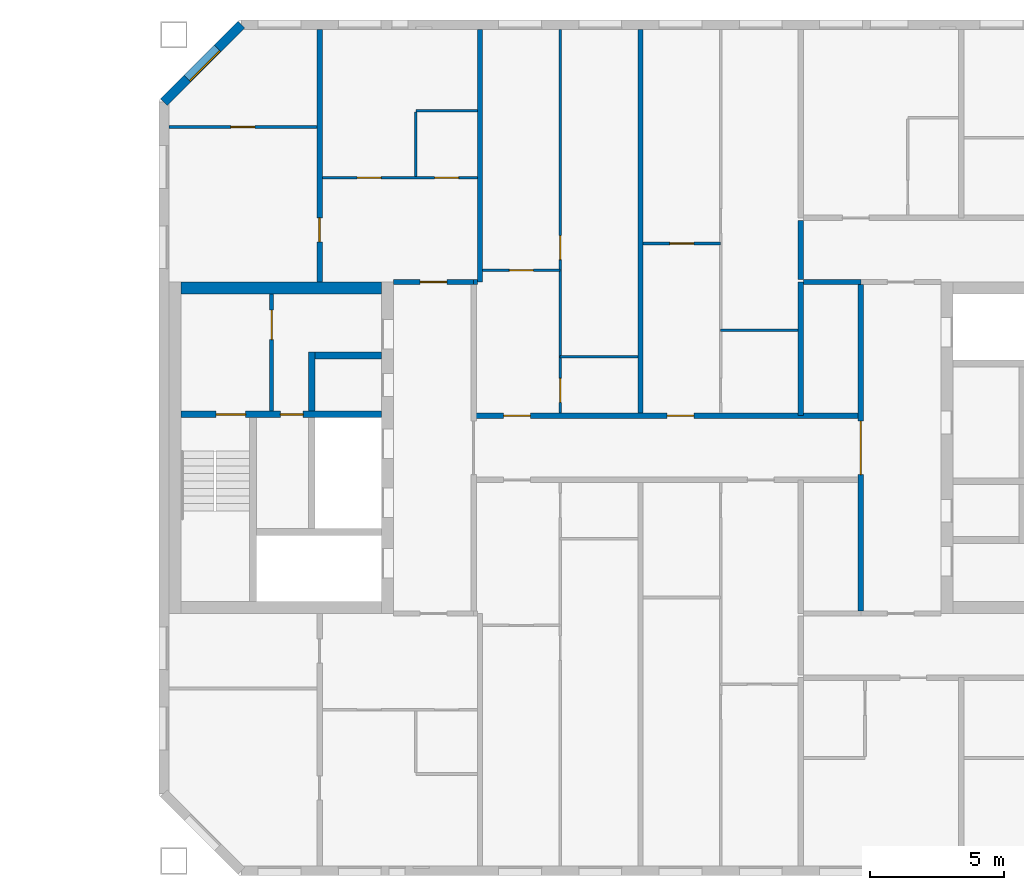
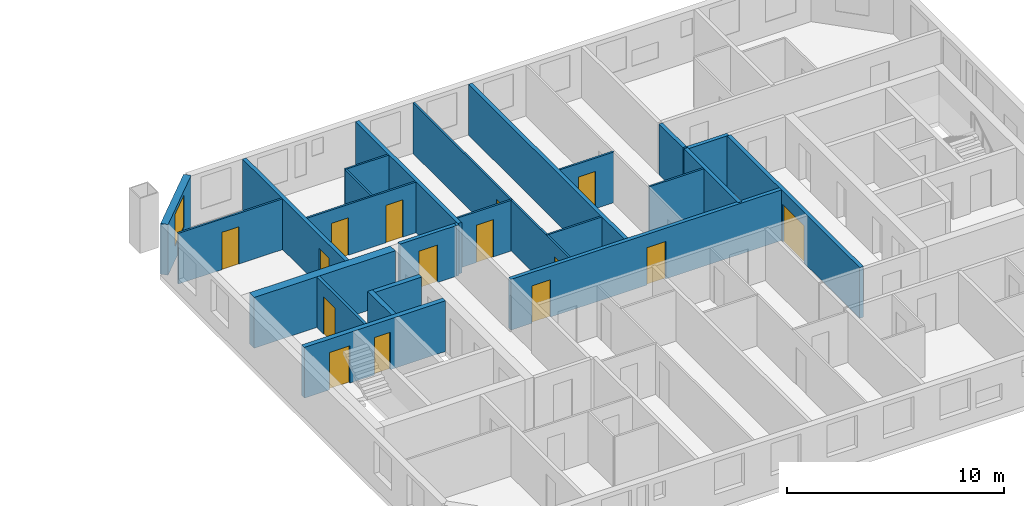
# One storey, part 11 of 16: 25 walls, 15 doors, 1 window, 16 openings.
"""IFC4 building model written with IfcOpenShell, lengths in metres."""

from ifc_helpers import new_model, si_unit, direction, frame, frame_2d, origin, place, context, subcontext, project, spatial, rectangle, extrude, material, layer, layer_set, type_object, element, fill, save


model = new_model("IFC4")

# Units and contexts
model_context = context("Model", 3, precision=1e-05, world=origin(), true_north=direction((0.0, 1.0)))
body_context = subcontext(model_context, "Body", "Model", "MODEL_VIEW")
ifc_project = project(units=[si_unit("LENGTHUNIT", "METRE"), si_unit("AREAUNIT", "SQUARE_METRE"), si_unit("VOLUMEUNIT", "CUBIC_METRE"), si_unit("PLANEANGLEUNIT", "RADIAN"), si_unit("MASSUNIT", "GRAM", prefix="KILO")], contexts=[model_context])

# Site, building, storey
site_placement = place(None, origin())
site = spatial("IfcSite", under=ifc_project, at=site_placement, CompositionType="ELEMENT")
building_placement = place(site_placement, origin())
building = spatial("IfcBuilding", under=site, at=building_placement, Name="Tuart Gate Housing", CompositionType="ELEMENT")
storey_placement = place(building_placement, frame((0.0, 0.0, 182.0)))
storey = spatial("IfcBuildingStorey", under=building, at=storey_placement, Name="L51", CompositionType="ELEMENT", Elevation=182.0)

# Wall, opening, window
ifc_material_1 = material(Name="Brick", Category="masonry")
ifc_layer_1 = layer(ifc_material_1, 0.360107421875)
ifc_layer_set_1 = layer_set([ifc_layer_1], Name="Brick pier and spandrel wall 360")
wall_type_1 = type_object("IfcWallType", Name="Brick pier and spandrel wall 360", PredefinedType="STANDARD", material=ifc_layer_set_1)
wall_1_placement = place(storey_placement, frame((134.07470703125, 85.820068359375, 0.0), z_axis=(0.0, 0.0, 1.0), x_axis=(-0.707106781187, -0.707106781187, 0.0)))
wall_1 = element("IfcWall", 1, at=wall_1_placement, inside=storey, type_object=wall_type_1, Name="External wall B-NW L51", PredefinedType="STANDARD", context=body_context, shape_type="SweptSolid", body=[
    extrude(rectangle(XDim=4.09375, YDim=0.360107421875, at=frame_2d((2.046875, 0.0))), origin(), (0.0, 0.0, 1.0), 2.85009765625),
])
opening_1_placement = place(wall_1_placement, frame((1.2470703125, 0.0, 0.800048828125)))
opening_1 = element("IfcOpeningElement", 2, at=opening_1_placement, cuts=wall_1, Name="Opening W1", PredefinedType="OPENING", context=body_context, shape_type="SweptSolid", body=[
    extrude(rectangle(XDim=1.60009765625, YDim=1.800048828125, at=frame_2d((0.800048828125, 0.89990234375))), frame((0.0, 0.18994140625, 0.0), z_axis=(0.0, -1.0, 0.0), x_axis=(1.0, 0.0, 0.0)), (0.0, 0.0, 1.0), 0.380126953125),
])
ifc_material_2 = material(Name="Aluminium frame with clear glass", Category="aluminium")
window_type = type_object("IfcWindowType", Name="Punched window 1600 x 1800", PartitioningType="SINGLE_PANEL", PredefinedType="WINDOW", material=ifc_material_2)
window_placement = place(opening_1_placement, origin())
window = element("IfcWindow", 3, at=window_placement, inside=storey, type_object=window_type, Name="Window W1", OverallHeight=1.800048828125, OverallWidth=1.60009765625, PartitioningType="SINGLE_PANEL", PredefinedType="WINDOW", context=body_context, shape_type="SweptSolid", body=[
    extrude(rectangle(XDim=1.60009765625, YDim=1.800048828125, at=frame_2d((0.800048828125, 0.89990234375))), frame((0.0, 0.150146484375, 0.0), z_axis=(0.0, -1.0, 0.0), x_axis=(1.0, 0.0, 0.0)), (0.0, 0.0, 1.0), 0.06005859375),
])
fill(opening_1, window)

# Wall, opening, door
ifc_material_3 = material(Name="Plasterboard partition")
ifc_layer_2 = layer(ifc_material_3, 0.14990234375)
ifc_layer_set_2 = layer_set([ifc_layer_2], Name="Core partition 150")
wall_type_2 = type_object("IfcWallType", Name="Core partition 150", PredefinedType="PARTITIONING", material=ifc_layer_set_2)
wall_2_placement = place(storey_placement, frame((135.2099609375, 71.375, 0.0), z_axis=(0.0, 0.0, 1.0), x_axis=(0.0, 1.0, 0.0)))
wall_2 = element("IfcWall", 4, at=wall_2_placement, inside=storey, type_object=wall_type_2, Name="Core partition BG.6", PredefinedType="PARTITIONING", context=body_context, shape_type="SweptSolid", body=[
    extrude(rectangle(XDim=4.375, YDim=0.14990234375, at=frame_2d((2.1875, 0.0))), origin(), (0.0, 0.0, 1.0), 2.85009765625),
])
opening_2_placement = place(wall_2_placement, frame((2.675048828125, 0.0, 0.0)))
opening_2 = element("IfcOpeningElement", 5, at=opening_2_placement, cuts=wall_2, Name="Opening D1807", PredefinedType="OPENING", context=body_context, shape_type="SweptSolid", body=[
    extrude(rectangle(XDim=1.10009765625, YDim=2.10009765625, at=frame_2d((0.550048828125, 1.050048828125))), frame((0.0, 0.0849609375, 0.0), z_axis=(0.0, -1.0, 0.0), x_axis=(1.0, 0.0, 0.0)), (0.0, 0.0, 1.0), 0.169921875),
])
ifc_material_4 = material(Name="Steel fire door", Category="steel")
door_type_1 = type_object("IfcDoorType", Name="Lobby door 1100 x 2100 RH", OperationType="SINGLE_SWING_RIGHT", PredefinedType="DOOR", material=ifc_material_4)
door_1_placement = place(opening_2_placement, origin())
door_1 = element("IfcDoor", 6, at=door_1_placement, inside=storey, type_object=door_type_1, Name="Smoke lobby door BG.KD", OperationType="SINGLE_SWING_RIGHT", OverallHeight=2.10009765625, OverallWidth=1.10009765625, PredefinedType="DOOR", context=body_context, shape_type="SweptSolid", body=[
    extrude(rectangle(XDim=1.10009765625, YDim=2.10009765625, at=frame_2d((0.550048828125, 1.050048828125))), frame((0.0, 0.02490234375, 0.0), z_axis=(0.0, -1.0, 0.0), x_axis=(1.0, 0.0, 0.0)), (0.0, 0.0, 1.0), 0.050048828125),
])
fill(opening_2, door_1)

# Wall, openings, doors
ifc_material_5 = material(Name="Concrete C40", Category="concrete")
ifc_layer_3 = layer(ifc_material_5, 0.25)
ifc_layer_set_3 = layer_set([ifc_layer_3], Name="Core wall 250 C40")
wall_type_3 = type_object("IfcWallType", Name="Core wall 250 C40", PredefinedType="SHEAR", material=ifc_layer_set_3)
wall_3_placement = place(storey_placement, frame((139.31005859375, 71.25, 0.0), z_axis=(0.0, 0.0, 1.0), x_axis=(-1.0, 0.0, 0.0)))
wall_3 = element("IfcWall", 7, at=wall_3_placement, inside=storey, type_object=wall_type_3, Name="Core wall BG.2", PredefinedType="SHEAR", context=body_context, shape_type="SweptSolid", body=[
    extrude(rectangle(XDim=7.5, YDim=0.25, at=frame_2d((3.75, 0.0))), origin(), (0.0, 0.0, 1.0), 2.85009765625),
])
opening_3_placement = place(wall_3_placement, frame((5.074951171875, 0.0, 0.0)))
opening_3 = element("IfcOpeningElement", 8, at=opening_3_placement, cuts=wall_3, Name="Opening D1809", PredefinedType="OPENING", context=body_context, shape_type="SweptSolid", body=[
    extrude(rectangle(XDim=1.10009765625, YDim=2.10009765625, at=frame_2d((0.550048828125, 1.050048828125))), frame((0.0, 0.135009765625, 0.0), z_axis=(0.0, -1.0, 0.0), x_axis=(1.0, 0.0, 0.0)), (0.0, 0.0, 1.0), 0.27001953125),
])
opening_4_placement = place(wall_3_placement, frame((2.925048828125, 0.0, 0.0)))
opening_4 = element("IfcOpeningElement", 9, at=opening_4_placement, cuts=wall_3, Name="Opening D1808", PredefinedType="OPENING", context=body_context, shape_type="SweptSolid", body=[
    extrude(rectangle(XDim=0.85009765625, YDim=2.10009765625, at=frame_2d((0.425048828125, 1.050048828125))), frame((0.0, 0.135009765625, 0.0), z_axis=(0.0, -1.0, 0.0), x_axis=(1.0, 0.0, 0.0)), (0.0, 0.0, 1.0), 0.27001953125),
])
ifc_material_6 = material(Name="Steel fire door", Category="steel")
door_type_2 = type_object("IfcDoorType", Name="Riser door 850 x 2100", OperationType="SINGLE_SWING_LEFT", PredefinedType="DOOR", material=ifc_material_6)
door_2_placement = place(opening_4_placement, origin())
door_2 = element("IfcDoor", 10, at=door_2_placement, inside=storey, type_object=door_type_2, Name="Service room door BG.W1", OperationType="SINGLE_SWING_LEFT", OverallHeight=2.10009765625, OverallWidth=0.85009765625, PredefinedType="DOOR", context=body_context, shape_type="SweptSolid", body=[
    extrude(rectangle(XDim=0.85009765625, YDim=2.10009765625, at=frame_2d((0.425048828125, 1.050048828125))), frame((0.0, 0.02490234375, 0.0), z_axis=(0.0, -1.0, 0.0), x_axis=(1.0, 0.0, 0.0)), (0.0, 0.0, 1.0), 0.050048828125),
])
fill(opening_4, door_2)
ifc_material_7 = material(Name="Steel fire door", Category="steel")
door_type_3 = type_object("IfcDoorType", Name="Stair door 1100 x 2100", OperationType="SINGLE_SWING_LEFT", PredefinedType="DOOR", material=ifc_material_7)
door_3_placement = place(opening_3_placement, origin())
door_3 = element("IfcDoor", 11, at=door_3_placement, inside=storey, type_object=door_type_3, Name="Stair door BG.SD", OperationType="SINGLE_SWING_LEFT", OverallHeight=2.10009765625, OverallWidth=1.10009765625, PredefinedType="DOOR", context=body_context, shape_type="SweptSolid", body=[
    extrude(rectangle(XDim=1.10009765625, YDim=2.10009765625, at=frame_2d((0.550048828125, 1.050048828125))), frame((0.0, 0.02490234375, 0.0), z_axis=(0.0, -1.0, 0.0), x_axis=(1.0, 0.0, 0.0)), (0.0, 0.0, 1.0), 0.050048828125),
])
fill(opening_3, door_3)

# Walls
wall_4_placement = place(storey_placement, frame((139.31005859375, 73.449951171875, 0.0), z_axis=(0.0, 0.0, 1.0), x_axis=(-1.0, 0.0, 0.0)))
element("IfcWall", 12, at=wall_4_placement, inside=storey, type_object=wall_type_3, Name="Core wall BG.3", PredefinedType="SHEAR", context=body_context, shape_type="SweptSolid", body=[
    extrude(rectangle(XDim=2.47509765625, YDim=0.25, at=frame_2d((1.237548828125, 0.0))), origin(), (0.0, 0.0, 1.0), 2.85009765625),
])
wall_5_placement = place(storey_placement, frame((136.7099609375, 71.375, 0.0), z_axis=(0.0, 0.0, 1.0), x_axis=(0.0, 1.0, 0.0)))
element("IfcWall", 13, at=wall_5_placement, inside=storey, type_object=wall_type_3, Name="Core wall BG.5", PredefinedType="SHEAR", context=body_context, shape_type="SweptSolid", body=[
    extrude(rectangle(XDim=2.199951171875, YDim=0.25, at=frame_2d((1.10009765625, 0.0))), origin(), (0.0, 0.0, 1.0), 2.85009765625),
])
ifc_material_8 = material(Name="Concrete C40", Category="concrete")
ifc_layer_4 = layer(ifc_material_8, 0.449951171875)
ifc_layer_set_4 = layer_set([ifc_layer_4], Name="Core wall 450 C40")
wall_type_4 = type_object("IfcWallType", Name="Core wall 450 C40", PredefinedType="SHEAR", material=ifc_layer_set_4)
wall_6_placement = place(storey_placement, frame((139.31005859375, 75.97509765625, 0.0), z_axis=(0.0, 0.0, 1.0), x_axis=(-1.0, 0.0, 0.0)))
element("IfcWall", 14, at=wall_6_placement, inside=storey, type_object=wall_type_4, Name="Core wall BG north", PredefinedType="SHEAR", context=body_context, shape_type="SweptSolid", body=[
    extrude(rectangle(XDim=7.5, YDim=0.449951171875, at=frame_2d((3.75, 0.0))), origin(), (0.0, 0.0, 1.0), 2.85009765625),
])

# Wall, openings, doors
ifc_material_9 = material(Name="Concrete masonry 15 MPa", Category="masonry")
ifc_layer_5 = layer(ifc_material_9, 0.199951171875)
ifc_layer_set_5 = layer_set([ifc_layer_5], Name="Corridor wall masonry 200")
wall_type_5 = type_object("IfcWallType", Name="Corridor wall masonry 200", PredefinedType="PARTITIONING", material=ifc_layer_set_5)
wall_7_placement = place(storey_placement, frame((142.760009765625, 71.199951171875, 0.0), z_axis=(0.0, 0.0, 1.0), x_axis=(1.0, 0.0, 0.0)))
wall_7 = element("IfcWall", 15, at=wall_7_placement, inside=storey, type_object=wall_type_5, Name="Corridor wall masonry 200", PredefinedType="PARTITIONING", context=body_context, shape_type="SweptSolid", body=[
    extrude(rectangle(XDim=14.47998046875, YDim=0.199951171875, at=frame_2d((7.239990234375, 0.0))), origin(), (0.0, 0.0, 1.0), 2.85009765625),
])
opening_5_placement = place(wall_7_placement, frame((1.1201171875, 0.0, 0.0)))
opening_5 = element("IfcOpeningElement", 16, at=opening_5_placement, cuts=wall_7, Name="Opening D1810", PredefinedType="OPENING", context=body_context, shape_type="SweptSolid", body=[
    extrude(rectangle(XDim=1.0, YDim=2.10009765625, at=frame_2d((0.5, 1.050048828125))), frame((0.0, 0.10986328125, 0.0), z_axis=(0.0, -1.0, 0.0), x_axis=(1.0, 0.0, 0.0)), (0.0, 0.0, 1.0), 0.219970703125),
])
opening_6_placement = place(wall_7_placement, frame((7.239990234375, 0.0, 0.0)))
opening_6 = element("IfcOpeningElement", 17, at=opening_6_placement, cuts=wall_7, Name="Opening D1811", PredefinedType="OPENING", context=body_context, shape_type="SweptSolid", body=[
    extrude(rectangle(XDim=1.0, YDim=2.10009765625, at=frame_2d((0.5, 1.050048828125))), frame((0.0, 0.10986328125, 0.0), z_axis=(0.0, -1.0, 0.0), x_axis=(1.0, 0.0, 0.0)), (0.0, 0.0, 1.0), 0.219970703125),
])
ifc_material_10 = material(Name="Timber door leaf in steel frame", Category="steel")
door_type_4 = type_object("IfcDoorType", Name="Flat entrance door 1000", OperationType="SINGLE_SWING_LEFT", PredefinedType="DOOR", material=ifc_material_10)
door_4_placement = place(opening_5_placement, origin())
door_4 = element("IfcDoor", 18, at=door_4_placement, inside=storey, type_object=door_type_4, Name="Flat entrance door", OperationType="SINGLE_SWING_LEFT", OverallHeight=2.10009765625, OverallWidth=1.0, PredefinedType="DOOR", context=body_context, shape_type="SweptSolid", body=[
    extrude(rectangle(XDim=1.0, YDim=2.10009765625, at=frame_2d((0.5, 1.050048828125))), frame((0.0, 0.02490234375, 0.0), z_axis=(0.0, -1.0, 0.0), x_axis=(1.0, 0.0, 0.0)), (0.0, 0.0, 1.0), 0.050048828125),
])
fill(opening_5, door_4)
door_5_placement = place(opening_6_placement, origin())
door_5 = element("IfcDoor", 19, at=door_5_placement, inside=storey, type_object=door_type_4, Name="Flat entrance door", OperationType="SINGLE_SWING_LEFT", OverallHeight=2.10009765625, OverallWidth=1.0, PredefinedType="DOOR", context=body_context, shape_type="SweptSolid", body=[
    extrude(rectangle(XDim=1.0, YDim=2.10009765625, at=frame_2d((0.5, 1.050048828125))), frame((0.0, 0.02490234375, 0.0), z_axis=(0.0, -1.0, 0.0), x_axis=(1.0, 0.0, 0.0)), (0.0, 0.0, 1.0), 0.050048828125),
])
fill(opening_6, door_5)

# Walls
wall_8_placement = place(storey_placement, frame((155.10009765625, 76.199951171875, 0.0), z_axis=(0.0, 0.0, 1.0), x_axis=(1.0, 0.0, 0.0)))
element("IfcWall", 20, at=wall_8_placement, inside=storey, type_object=wall_type_5, Name="Corridor wall masonry 200", PredefinedType="PARTITIONING", context=body_context, shape_type="SweptSolid", body=[
    extrude(rectangle(XDim=2.139892578125, YDim=0.199951171875, at=frame_2d((1.06982421875, 0.0))), origin(), (0.0, 0.0, 1.0), 2.85009765625),
])
wall_9_placement = place(storey_placement, frame((155.0, 76.300048828125, 0.0), z_axis=(0.0, 0.0, 1.0), x_axis=(0.0, 1.0, 0.0)))
element("IfcWall", 21, at=wall_9_placement, inside=storey, type_object=wall_type_5, Name="Corridor wall masonry 200", PredefinedType="PARTITIONING", context=body_context, shape_type="SweptSolid", body=[
    extrude(rectangle(XDim=2.199951171875, YDim=0.199951171875, at=frame_2d((1.10009765625, 0.0))), origin(), (0.0, 0.0, 1.0), 2.85009765625),
])

# Wall, opening, door
ifc_material_11 = material(Name="Concrete masonry 15 MPa", Category="masonry")
ifc_layer_6 = layer(ifc_material_11, 0.199951171875)
ifc_layer_set_6 = layer_set([ifc_layer_6], Name="Enclosure wall masonry 200")
wall_type_6 = type_object("IfcWallType", Name="Enclosure wall masonry 200", PredefinedType="PARTITIONING", material=ifc_layer_set_6)
wall_10_placement = place(storey_placement, frame((139.760009765625, 76.199951171875, 0.0), z_axis=(0.0, 0.0, 1.0), x_axis=(1.0, 0.0, 0.0)))
wall_10 = element("IfcWall", 22, at=wall_10_placement, inside=storey, type_object=wall_type_6, Name="Enclosure wall masonry 200", PredefinedType="PARTITIONING", context=body_context, shape_type="SweptSolid", body=[
    extrude(rectangle(XDim=3.0, YDim=0.199951171875, at=frame_2d((1.5, 0.0))), origin(), (0.0, 0.0, 1.0), 2.85009765625),
])
opening_7_placement = place(wall_10_placement, frame((1.0, 0.0, 0.0)))
opening_7 = element("IfcOpeningElement", 23, at=opening_7_placement, cuts=wall_10, Name="Opening D1805", PredefinedType="OPENING", context=body_context, shape_type="SweptSolid", body=[
    extrude(rectangle(XDim=1.0, YDim=2.10009765625, at=frame_2d((0.5, 1.050048828125))), frame((0.0, 0.10986328125, 0.0), z_axis=(0.0, -1.0, 0.0), x_axis=(1.0, 0.0, 0.0)), (0.0, 0.0, 1.0), 0.219970703125),
])
ifc_material_12 = material(Name="Timber door leaf in steel frame", Category="steel")
door_type_5 = type_object("IfcDoorType", Name="Flat entrance door 1000 RH", OperationType="SINGLE_SWING_RIGHT", PredefinedType="DOOR", material=ifc_material_12)
door_6_placement = place(opening_7_placement, origin())
door_6 = element("IfcDoor", 24, at=door_6_placement, inside=storey, type_object=door_type_5, Name="Flat entrance door", OperationType="SINGLE_SWING_RIGHT", OverallHeight=2.10009765625, OverallWidth=1.0, PredefinedType="DOOR", context=body_context, shape_type="SweptSolid", body=[
    extrude(rectangle(XDim=1.0, YDim=2.10009765625, at=frame_2d((0.5, 1.050048828125))), frame((0.0, 0.02490234375, 0.0), z_axis=(0.0, -1.0, 0.0), x_axis=(1.0, 0.0, 0.0)), (0.0, 0.0, 1.0), 0.050048828125),
])
fill(opening_7, door_6)

ifc_material_13 = material(Name="Plasterboard partition")
ifc_layer_7 = layer(ifc_material_13, 0.199951171875)
ifc_layer_set_7 = layer_set([ifc_layer_7], Name="Lobby wall 200")
wall_type_7 = type_object("IfcWallType", Name="Lobby wall 200", PredefinedType="PARTITIONING", material=ifc_layer_set_7)
wall_11_placement = place(storey_placement, frame((157.239990234375, 63.89990234375, 0.0), z_axis=(0.0, 0.0, 1.0), x_axis=(0.0, 1.0, 0.0)))
wall_11 = element("IfcWall", 25, at=wall_11_placement, inside=storey, type_object=wall_type_7, Name="Lift lobby wall BK", PredefinedType="PARTITIONING", context=body_context, shape_type="SweptSolid", body=[
    extrude(rectangle(XDim=12.2001953125, YDim=0.199951171875, at=frame_2d((6.10009765625, 0.0))), origin(), (0.0, 0.0, 1.0), 2.85009765625),
])
opening_8_placement = place(wall_11_placement, frame((5.10009765625, 0.0, 0.0)))
opening_8 = element("IfcOpeningElement", 26, at=opening_8_placement, cuts=wall_11, Name="Opening D1816", PredefinedType="OPENING", context=body_context, shape_type="SweptSolid", body=[
    extrude(rectangle(XDim=2.0, YDim=2.10009765625, at=frame_2d((1.0, 1.050048828125))), frame((0.0, 0.10986328125, 0.0), z_axis=(0.0, -1.0, 0.0), x_axis=(1.0, 0.0, 0.0)), (0.0, 0.0, 1.0), 0.219970703125),
])
ifc_material_14 = material(Name="Steel fire door", Category="steel")
door_type_6 = type_object("IfcDoorType", Name="Smoke door 2000 x 2100", OperationType="DOUBLE_DOOR_SINGLE_SWING", PredefinedType="DOOR", material=ifc_material_14)
door_7_placement = place(opening_8_placement, frame((2.0, 0.0, 0.0), z_axis=(0.0, 0.0, 1.0), x_axis=(-1.0, 0.0, 0.0)))
door_7 = element("IfcDoor", 27, at=door_7_placement, inside=storey, type_object=door_type_6, Name="Lift lobby smoke door BK", OperationType="DOUBLE_DOOR_SINGLE_SWING", OverallHeight=2.10009765625, OverallWidth=2.0, PredefinedType="DOOR", context=body_context, shape_type="SweptSolid", body=[
    extrude(rectangle(XDim=2.0, YDim=2.10009765625, at=frame_2d((1.0, 1.050048828125))), frame((0.0, 0.025146484375, 0.0), z_axis=(0.0, -1.0, 0.0), x_axis=(1.0, 0.0, 0.0)), (0.0, 0.0, 1.0), 0.050048828125),
])
fill(opening_8, door_7)

# Walls
ifc_material_15 = material(Name="Gypsum board on steel studs", Category="steel")
ifc_layer_8 = layer(ifc_material_15, 0.10009765625)
ifc_layer_set_8 = layer_set([ifc_layer_8], Name="Partition 100")
wall_type_8 = type_object("IfcWallType", Name="Partition 100", PredefinedType="PARTITIONING", material=ifc_layer_set_8)
for number, where, z_axis, x_axis, name in (
    (28, (146.0, 73.39990234375, 0.0), (0.0, 0.0, 1.0), (1.0, 0.0, 0.0), "Partition 100"),
    (29, (152.0, 74.39990234375, 0.0), (0.0, 0.0, 1.0), (1.0, 0.0, 0.0), "Partition 100"),
):
    element("IfcWall", number, at=place(storey_placement, frame(where, z_axis=z_axis, x_axis=x_axis)), inside=storey, type_object=wall_type_8, Name=name, PredefinedType="PARTITIONING", context=body_context, shape_type="SweptSolid", body=[
        extrude(rectangle(XDim=2.89990234375, YDim=0.10009765625, at=frame_2d((1.449951171875, 0.0))), origin(), (0.0, 0.0, 1.0), 2.85009765625),
    ])

# Wall, opening, door
wall_12_placement = place(storey_placement, frame((143.10009765625, 76.639892578125, 0.0), z_axis=(0.0, 0.0, 1.0), x_axis=(1.0, 0.0, 0.0)))
wall_12 = element("IfcWall", 30, at=wall_12_placement, inside=storey, type_object=wall_type_8, Name="Partition 100", PredefinedType="PARTITIONING", context=body_context, shape_type="SweptSolid", body=[
    extrude(rectangle(XDim=2.89990234375, YDim=0.10009765625, at=frame_2d((1.449951171875, 0.0))), origin(), (0.0, 0.0, 1.0), 2.85009765625),
])
opening_9_placement = place(wall_12_placement, frame((1.0, 0.0, 0.0)))
opening_9 = element("IfcOpeningElement", 31, at=opening_9_placement, cuts=wall_12, Name="Opening D1804", PredefinedType="OPENING", context=body_context, shape_type="SweptSolid", body=[
    extrude(rectangle(XDim=0.89990234375, YDim=2.10009765625, at=frame_2d((0.449951171875, 1.050048828125))), frame((0.0, 0.06005859375, 0.0), z_axis=(0.0, -1.0, 0.0), x_axis=(1.0, 0.0, 0.0)), (0.0, 0.0, 1.0), 0.1201171875),
])
ifc_material_16 = material(Name="Timber door leaf in steel frame", Category="steel")
door_type_7 = type_object("IfcDoorType", Name="Internal door 900", OperationType="SINGLE_SWING_LEFT", PredefinedType="DOOR", material=ifc_material_16)
door_8_placement = place(opening_9_placement, frame((0.89990234375, 0.0, 0.0), z_axis=(0.0, 0.0, 1.0), x_axis=(-1.0, 0.0, 0.0)))
door_8 = element("IfcDoor", 32, at=door_8_placement, inside=storey, type_object=door_type_7, Name="Internal door", OperationType="SINGLE_SWING_LEFT", OverallHeight=2.10009765625, OverallWidth=0.89990234375, PredefinedType="DOOR", context=body_context, shape_type="SweptSolid", body=[
    extrude(rectangle(XDim=0.89990234375, YDim=2.10009765625, at=frame_2d((0.449951171875, 1.050048828125))), frame((0.0, 0.025146484375, 0.0), z_axis=(0.0, -1.0, 0.0), x_axis=(1.0, 0.0, 0.0)), (0.0, 0.0, 1.0), 0.050048828125),
])
fill(opening_9, door_8)

wall_13_placement = place(storey_placement, frame((149.10009765625, 77.639892578125, 0.0), z_axis=(0.0, 0.0, 1.0), x_axis=(1.0, 0.0, 0.0)))
wall_13 = element("IfcWall", 33, at=wall_13_placement, inside=storey, type_object=wall_type_8, Name="Partition 100", PredefinedType="PARTITIONING", context=body_context, shape_type="SweptSolid", body=[
    extrude(rectangle(XDim=2.89990234375, YDim=0.10009765625, at=frame_2d((1.449951171875, 0.0))), origin(), (0.0, 0.0, 1.0), 2.85009765625),
])
opening_10_placement = place(wall_13_placement, frame((1.0, 0.0, 0.0)))
opening_10 = element("IfcOpeningElement", 34, at=opening_10_placement, cuts=wall_13, Name="Opening D1803", PredefinedType="OPENING", context=body_context, shape_type="SweptSolid", body=[
    extrude(rectangle(XDim=0.89990234375, YDim=2.10009765625, at=frame_2d((0.449951171875, 1.050048828125))), frame((0.0, 0.06005859375, 0.0), z_axis=(0.0, -1.0, 0.0), x_axis=(1.0, 0.0, 0.0)), (0.0, 0.0, 1.0), 0.1201171875),
])
door_9_placement = place(opening_10_placement, frame((0.89990234375, 0.0, 0.0), z_axis=(0.0, 0.0, 1.0), x_axis=(-1.0, 0.0, 0.0)))
door_9 = element("IfcDoor", 35, at=door_9_placement, inside=storey, type_object=door_type_7, Name="Internal door", OperationType="SINGLE_SWING_LEFT", OverallHeight=2.10009765625, OverallWidth=0.89990234375, PredefinedType="DOOR", context=body_context, shape_type="SweptSolid", body=[
    extrude(rectangle(XDim=0.89990234375, YDim=2.10009765625, at=frame_2d((0.449951171875, 1.050048828125))), frame((0.0, 0.025146484375, 0.0), z_axis=(0.0, -1.0, 0.0), x_axis=(1.0, 0.0, 0.0)), (0.0, 0.0, 1.0), 0.050048828125),
])
fill(opening_10, door_9)

# Wall, openings, doors
wall_14_placement = place(storey_placement, frame((137.10009765625, 80.10009765625, 0.0), z_axis=(0.0, 0.0, 1.0), x_axis=(1.0, 0.0, 0.0)))
wall_14 = element("IfcWall", 36, at=wall_14_placement, inside=storey, type_object=wall_type_8, Name="Partition 100", PredefinedType="PARTITIONING", context=body_context, shape_type="SweptSolid", body=[
    extrude(rectangle(XDim=5.7998046875, YDim=0.10009765625, at=frame_2d((2.89990234375, 0.0))), origin(), (0.0, 0.0, 1.0), 2.85009765625),
])
opening_11_placement = place(wall_14_placement, frame((1.300048828125, 0.0, 0.0)))
opening_11 = element("IfcOpeningElement", 37, at=opening_11_placement, cuts=wall_14, Name="Opening D1796", PredefinedType="OPENING", context=body_context, shape_type="SweptSolid", body=[
    extrude(rectangle(XDim=0.89990234375, YDim=2.10009765625, at=frame_2d((0.449951171875, 1.050048828125))), frame((0.0, 0.06005859375, 0.0), z_axis=(0.0, -1.0, 0.0), x_axis=(1.0, 0.0, 0.0)), (0.0, 0.0, 1.0), 0.1201171875),
])
opening_12_placement = place(wall_14_placement, frame((4.199951171875, 0.0, 0.0)))
opening_12 = element("IfcOpeningElement", 38, at=opening_12_placement, cuts=wall_14, Name="Opening D1795", PredefinedType="OPENING", context=body_context, shape_type="SweptSolid", body=[
    extrude(rectangle(XDim=0.89990234375, YDim=2.10009765625, at=frame_2d((0.449951171875, 1.050048828125))), frame((0.0, 0.06005859375, 0.0), z_axis=(0.0, -1.0, 0.0), x_axis=(1.0, 0.0, 0.0)), (0.0, 0.0, 1.0), 0.1201171875),
])
ifc_material_17 = material(Name="Timber door leaf in steel frame", Category="steel")
door_type_8 = type_object("IfcDoorType", Name="Bathroom door 900", OperationType="SINGLE_SWING_LEFT", PredefinedType="DOOR", material=ifc_material_17)
door_10_placement = place(opening_12_placement, origin())
door_10 = element("IfcDoor", 39, at=door_10_placement, inside=storey, type_object=door_type_8, Name="Bathroom door", OperationType="SINGLE_SWING_LEFT", OverallHeight=2.10009765625, OverallWidth=0.89990234375, PredefinedType="DOOR", context=body_context, shape_type="SweptSolid", body=[
    extrude(rectangle(XDim=0.89990234375, YDim=2.10009765625, at=frame_2d((0.449951171875, 1.050048828125))), frame((0.0, 0.02490234375, 0.0), z_axis=(0.0, -1.0, 0.0), x_axis=(1.0, 0.0, 0.0)), (0.0, 0.0, 1.0), 0.050048828125),
])
fill(opening_12, door_10)
ifc_material_18 = material(Name="Timber door leaf in steel frame", Category="steel")
door_type_9 = type_object("IfcDoorType", Name="Internal door 900 RH", OperationType="SINGLE_SWING_RIGHT", PredefinedType="DOOR", material=ifc_material_18)
door_11_placement = place(opening_11_placement, origin())
door_11 = element("IfcDoor", 40, at=door_11_placement, inside=storey, type_object=door_type_9, Name="Internal door", OperationType="SINGLE_SWING_RIGHT", OverallHeight=2.10009765625, OverallWidth=0.89990234375, PredefinedType="DOOR", context=body_context, shape_type="SweptSolid", body=[
    extrude(rectangle(XDim=0.89990234375, YDim=2.10009765625, at=frame_2d((0.449951171875, 1.050048828125))), frame((0.0, 0.02490234375, 0.0), z_axis=(0.0, -1.0, 0.0), x_axis=(1.0, 0.0, 0.0)), (0.0, 0.0, 1.0), 0.050048828125),
])
fill(opening_11, door_11)

# Wall, opening, door
wall_15_placement = place(storey_placement, frame((131.360107421875, 82.0, 0.0), z_axis=(0.0, 0.0, 1.0), x_axis=(1.0, 0.0, 0.0)))
wall_15 = element("IfcWall", 41, at=wall_15_placement, inside=storey, type_object=wall_type_8, Name="Partition 100", PredefinedType="PARTITIONING", context=body_context, shape_type="SweptSolid", body=[
    extrude(rectangle(XDim=5.539794921875, YDim=0.10009765625, at=frame_2d((2.77001953125, 0.0))), origin(), (0.0, 0.0, 1.0), 2.85009765625),
])
opening_13_placement = place(wall_15_placement, frame((2.320068359375, 0.0, 0.0)))
opening_13 = element("IfcOpeningElement", 42, at=opening_13_placement, cuts=wall_15, Name="Opening D1791", PredefinedType="OPENING", context=body_context, shape_type="SweptSolid", body=[
    extrude(rectangle(XDim=0.89990234375, YDim=2.10009765625, at=frame_2d((0.449951171875, 1.050048828125))), frame((0.0, 0.06005859375, 0.0), z_axis=(0.0, -1.0, 0.0), x_axis=(1.0, 0.0, 0.0)), (0.0, 0.0, 1.0), 0.1201171875),
])
door_12_placement = place(opening_13_placement, origin())
door_12 = element("IfcDoor", 43, at=door_12_placement, inside=storey, type_object=door_type_7, Name="Internal door", OperationType="SINGLE_SWING_LEFT", OverallHeight=2.10009765625, OverallWidth=0.89990234375, PredefinedType="DOOR", context=body_context, shape_type="SweptSolid", body=[
    extrude(rectangle(XDim=0.89990234375, YDim=2.10009765625, at=frame_2d((0.449951171875, 1.050048828125))), frame((0.0, 0.02490234375, 0.0), z_axis=(0.0, -1.0, 0.0), x_axis=(1.0, 0.0, 0.0)), (0.0, 0.0, 1.0), 0.050048828125),
])
fill(opening_13, door_12)

# Walls
wall_16_placement = place(storey_placement, frame((140.60009765625, 82.60009765625, 0.0), z_axis=(0.0, 0.0, 1.0), x_axis=(1.0, 0.0, 0.0)))
element("IfcWall", 44, at=wall_16_placement, inside=storey, type_object=wall_type_8, Name="Partition 100", PredefinedType="PARTITIONING", context=body_context, shape_type="SweptSolid", body=[
    extrude(rectangle(XDim=2.2998046875, YDim=0.10009765625, at=frame_2d((1.14990234375, 0.0))), origin(), (0.0, 0.0, 1.0), 2.85009765625),
])
wall_17_placement = place(storey_placement, frame((140.60009765625, 80.14990234375, 0.0), z_axis=(0.0, 0.0, 1.0), x_axis=(0.0, 1.0, 0.0)))
element("IfcWall", 45, at=wall_17_placement, inside=storey, type_object=wall_type_8, Name="Partition 100", PredefinedType="PARTITIONING", context=body_context, shape_type="SweptSolid", body=[
    extrude(rectangle(XDim=2.400146484375, YDim=0.10009765625, at=frame_2d((1.2001953125, 0.0))), origin(), (0.0, 0.0, 1.0), 2.85009765625),
])

# Wall, openings, doors
wall_18_placement = place(storey_placement, frame((146.0, 71.300048828125, 0.0), z_axis=(0.0, 0.0, 1.0), x_axis=(0.0, 1.0, 0.0)))
wall_18 = element("IfcWall", 46, at=wall_18_placement, inside=storey, type_object=wall_type_8, Name="Partition 100", PredefinedType="PARTITIONING", context=body_context, shape_type="SweptSolid", body=[
    extrude(rectangle(XDim=14.33984375, YDim=0.10009765625, at=frame_2d((7.169921875, 0.0))), origin(), (0.0, 0.0, 1.0), 2.85009765625),
])
opening_14_placement = place(wall_18_placement, frame((5.739990234375, 0.0, 0.0)))
opening_14 = element("IfcOpeningElement", 47, at=opening_14_placement, cuts=wall_18, Name="Opening D1800", PredefinedType="OPENING", context=body_context, shape_type="SweptSolid", body=[
    extrude(rectangle(XDim=0.89990234375, YDim=2.10009765625, at=frame_2d((0.449951171875, 1.050048828125))), frame((0.0, 0.06005859375, 0.0), z_axis=(0.0, -1.0, 0.0), x_axis=(1.0, 0.0, 0.0)), (0.0, 0.0, 1.0), 0.1201171875),
])
opening_15_placement = place(wall_18_placement, frame((0.39990234375, 0.0, 0.0)))
opening_15 = element("IfcOpeningElement", 48, at=opening_15_placement, cuts=wall_18, Name="Opening D1799", PredefinedType="OPENING", context=body_context, shape_type="SweptSolid", body=[
    extrude(rectangle(XDim=0.89990234375, YDim=2.10009765625, at=frame_2d((0.449951171875, 1.050048828125))), frame((0.0, 0.06005859375, 0.0), z_axis=(0.0, -1.0, 0.0), x_axis=(1.0, 0.0, 0.0)), (0.0, 0.0, 1.0), 0.1201171875),
])
ifc_material_19 = material(Name="Timber door leaf in steel frame", Category="steel")
door_type_10 = type_object("IfcDoorType", Name="Bathroom door 900 RH", OperationType="SINGLE_SWING_RIGHT", PredefinedType="DOOR", material=ifc_material_19)
door_13_placement = place(opening_15_placement, frame((0.89990234375, 0.0, 0.0), z_axis=(0.0, 0.0, 1.0), x_axis=(-1.0, 0.0, 0.0)))
door_13 = element("IfcDoor", 49, at=door_13_placement, inside=storey, type_object=door_type_10, Name="Bathroom door", OperationType="SINGLE_SWING_RIGHT", OverallHeight=2.10009765625, OverallWidth=0.89990234375, PredefinedType="DOOR", context=body_context, shape_type="SweptSolid", body=[
    extrude(rectangle(XDim=0.89990234375, YDim=2.10009765625, at=frame_2d((0.449951171875, 1.050048828125))), frame((0.0, 0.025146484375, 0.0), z_axis=(0.0, -1.0, 0.0), x_axis=(1.0, 0.0, 0.0)), (0.0, 0.0, 1.0), 0.050048828125),
])
fill(opening_15, door_13)
door_14_placement = place(opening_14_placement, frame((0.89990234375, 0.0, 0.0), z_axis=(0.0, 0.0, 1.0), x_axis=(-1.0, 0.0, 0.0)))
door_14 = element("IfcDoor", 50, at=door_14_placement, inside=storey, type_object=door_type_9, Name="Internal door", OperationType="SINGLE_SWING_RIGHT", OverallHeight=2.10009765625, OverallWidth=0.89990234375, PredefinedType="DOOR", context=body_context, shape_type="SweptSolid", body=[
    extrude(rectangle(XDim=0.89990234375, YDim=2.10009765625, at=frame_2d((0.449951171875, 1.050048828125))), frame((0.0, 0.025146484375, 0.0), z_axis=(0.0, -1.0, 0.0), x_axis=(1.0, 0.0, 0.0)), (0.0, 0.0, 1.0), 0.050048828125),
])
fill(opening_14, door_14)

# Wall, opening, door
ifc_material_20 = material(Name="Concrete C40", Category="concrete")
ifc_layer_9 = layer(ifc_material_20, 0.199951171875)
ifc_layer_set_9 = layer_set([ifc_layer_9], Name="Party wall concrete C40 200")
wall_type_9 = type_object("IfcWallType", Name="Party wall concrete C40 200", PredefinedType="SOLIDWALL", material=ifc_layer_set_9)
wall_19_placement = place(storey_placement, frame((137.0, 76.199951171875, 0.0), z_axis=(0.0, 0.0, 1.0), x_axis=(0.0, 1.0, 0.0)))
wall_19 = element("IfcWall", 51, at=wall_19_placement, inside=storey, type_object=wall_type_9, Name="Party wall concrete C40 200", PredefinedType="SOLIDWALL", context=body_context, shape_type="SweptSolid", body=[
    extrude(rectangle(XDim=9.43994140625, YDim=0.199951171875, at=frame_2d((4.719970703125, 0.0))), origin(), (0.0, 0.0, 1.0), 2.85009765625),
])
opening_16_placement = place(wall_19_placement, frame((1.5, 0.0, 0.0)))
opening_16 = element("IfcOpeningElement", 52, at=opening_16_placement, cuts=wall_19, Name="Opening D1792", PredefinedType="OPENING", context=body_context, shape_type="SweptSolid", body=[
    extrude(rectangle(XDim=0.89990234375, YDim=2.10009765625, at=frame_2d((0.449951171875, 1.050048828125))), frame((0.0, 0.10986328125, 0.0), z_axis=(0.0, -1.0, 0.0), x_axis=(1.0, 0.0, 0.0)), (0.0, 0.0, 1.0), 0.219970703125),
])
door_15_placement = place(opening_16_placement, frame((0.89990234375, 0.0, 0.0), z_axis=(0.0, 0.0, 1.0), x_axis=(-1.0, 0.0, 0.0)))
door_15 = element("IfcDoor", 53, at=door_15_placement, inside=storey, type_object=door_type_9, Name="Internal door", OperationType="SINGLE_SWING_RIGHT", OverallHeight=2.10009765625, OverallWidth=0.89990234375, PredefinedType="DOOR", context=body_context, shape_type="SweptSolid", body=[
    extrude(rectangle(XDim=0.89990234375, YDim=2.10009765625, at=frame_2d((0.449951171875, 1.050048828125))), frame((0.0, 0.025146484375, 0.0), z_axis=(0.0, -1.0, 0.0), x_axis=(1.0, 0.0, 0.0)), (0.0, 0.0, 1.0), 0.050048828125),
])
fill(opening_16, door_15)

# Walls
wall_20_placement = place(storey_placement, frame((143.0, 76.199951171875, 0.0), z_axis=(0.0, 0.0, 1.0), x_axis=(0.0, 1.0, 0.0)))
element("IfcWall", 54, at=wall_20_placement, inside=storey, type_object=wall_type_9, Name="Party wall concrete C40 200", PredefinedType="SOLIDWALL", context=body_context, shape_type="SweptSolid", body=[
    extrude(rectangle(XDim=9.43994140625, YDim=0.199951171875, at=frame_2d((4.719970703125, 0.0))), origin(), (0.0, 0.0, 1.0), 2.85009765625),
])
wall_21_placement = place(storey_placement, frame((149.0, 71.199951171875, 0.0), z_axis=(0.0, 0.0, 1.0), x_axis=(0.0, 1.0, 0.0)))
element("IfcWall", 55, at=wall_21_placement, inside=storey, type_object=wall_type_9, Name="Party wall concrete C40 200", PredefinedType="SOLIDWALL", context=body_context, shape_type="SweptSolid", body=[
    extrude(rectangle(XDim=14.43994140625, YDim=0.199951171875, at=frame_2d((7.219970703125, 0.0))), origin(), (0.0, 0.0, 1.0), 2.85009765625),
])
wall_22_placement = place(storey_placement, frame((155.0, 71.199951171875, 0.0), z_axis=(0.0, 0.0, 1.0), x_axis=(0.0, 1.0, 0.0)))
element("IfcWall", 56, at=wall_22_placement, inside=storey, type_object=wall_type_9, Name="Party wall concrete C40 200", PredefinedType="SOLIDWALL", context=body_context, shape_type="SweptSolid", body=[
    extrude(rectangle(XDim=5.0, YDim=0.199951171875, at=frame_2d((2.5, 0.0))), origin(), (0.0, 0.0, 1.0), 2.85009765625),
])
ifc_material_21 = material(Name="Concrete masonry 15 MPa", Category="masonry")
ifc_layer_10 = layer(ifc_material_21, 0.199951171875)
ifc_layer_set_10 = layer_set([ifc_layer_10], Name="Party wall masonry 200")
wall_type_10 = type_object("IfcWallType", Name="Party wall masonry 200", PredefinedType="PARTITIONING", material=ifc_layer_set_10)
wall_23_placement = place(storey_placement, frame((142.760009765625, 76.199951171875, 0.0), z_axis=(0.0, 0.0, 1.0), x_axis=(1.0, 0.0, 0.0)))
element("IfcWall", 57, at=wall_23_placement, inside=storey, type_object=wall_type_10, Name="Party wall masonry 200", PredefinedType="PARTITIONING", context=body_context, shape_type="SweptSolid", body=[
    extrude(rectangle(XDim=0.139892578125, YDim=0.199951171875, at=frame_2d((0.06982421875, 0.0))), origin(), (0.0, 0.0, 1.0), 2.85009765625),
])

save(model, "model.ifc")
